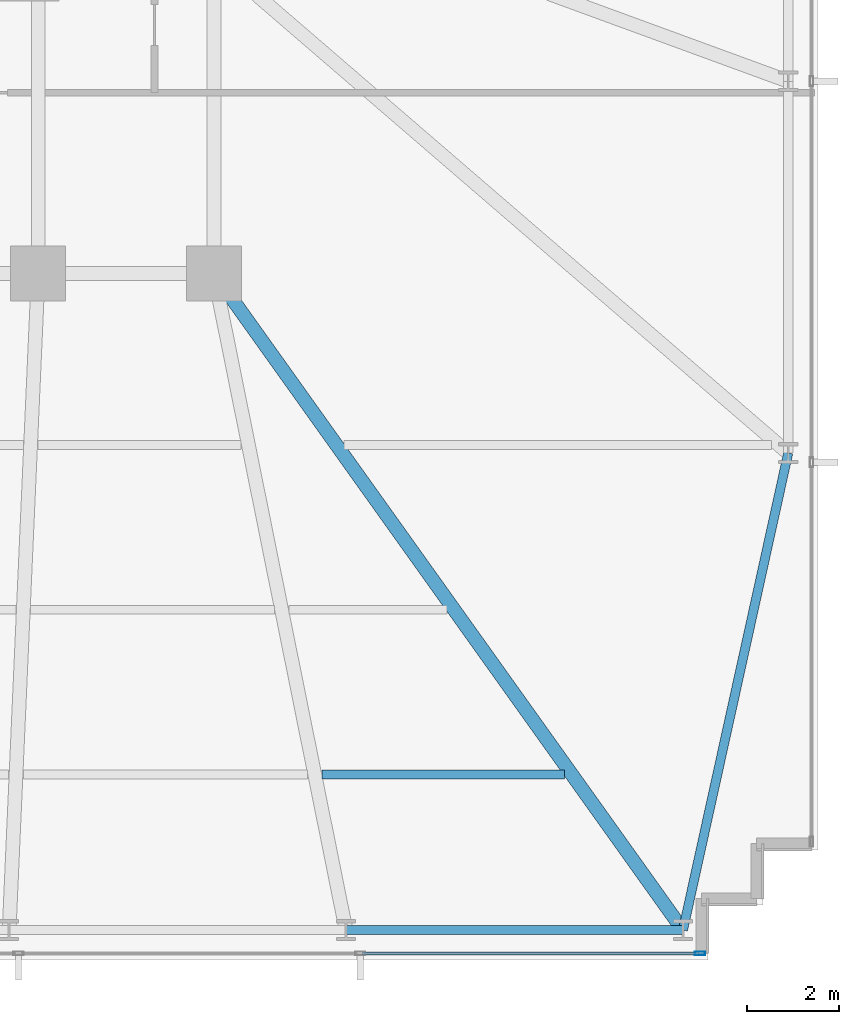
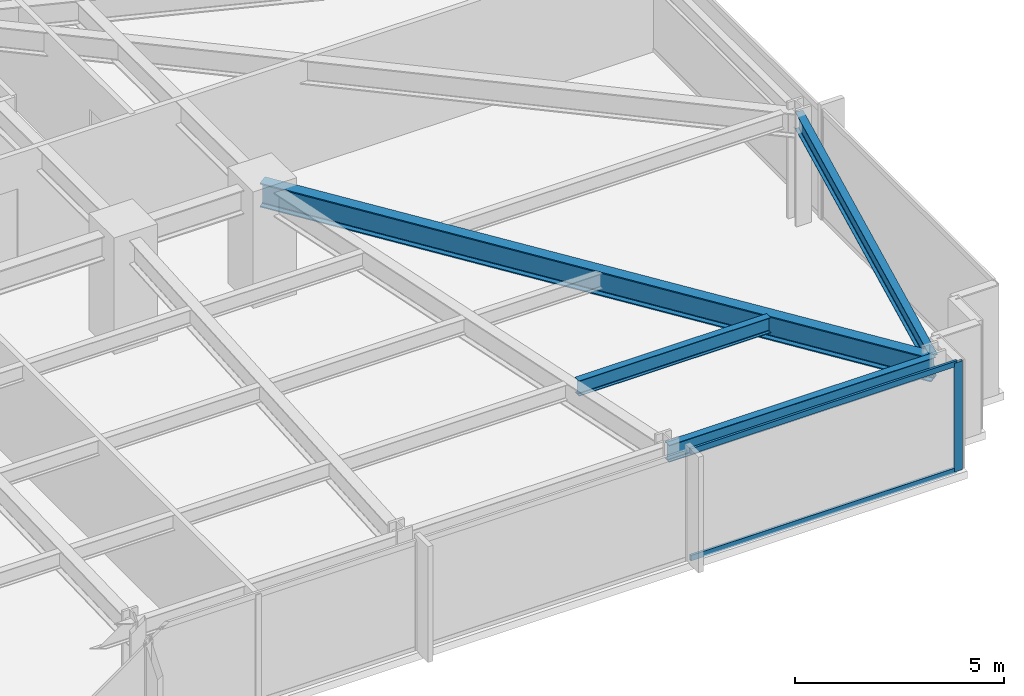
# One storey, part 15 of 33: 4 beams, 3 members, 1 element without a shape of its own.
"""IFC4 building model written with IfcOpenShell, lengths in metres."""

from ifc_helpers import new_model, si_unit, direction, frame, origin, origin_2d, place, context, subcontext, project, spatial, hollow_rectangle, i_section, extrude, material, material_profile, profile_set, type_object, element, aggregate, save


model = new_model("IFC4")

# Units and contexts
model_context = context("Model", 3, precision=1e-05, world=origin(), true_north=direction((0.0, 1.0)))
body_context = subcontext(model_context, "Body", "Model", "MODEL_VIEW")
ifc_project = project(units=[si_unit("LENGTHUNIT", "METRE"), si_unit("AREAUNIT", "SQUARE_METRE"), si_unit("VOLUMEUNIT", "CUBIC_METRE"), si_unit("PLANEANGLEUNIT", "RADIAN"), si_unit("MASSUNIT", "GRAM", prefix="KILO")], contexts=[model_context])

# Site, building, storey
site_placement = place(None, origin())
site = spatial("IfcSite", under=ifc_project, at=site_placement, CompositionType="ELEMENT")
building_placement = place(site_placement, origin())
building = spatial("IfcBuilding", under=site, at=building_placement, Name="Yelkora Congress Tower", CompositionType="ELEMENT")
storey_placement = place(building_placement, frame((0.0, 0.0, 64.39990234375)))
storey = spatial("IfcBuildingStorey", under=building, at=storey_placement, Name="L16", CompositionType="ELEMENT", Elevation=64.39990234375)

# Beams
ifc_material_1 = material(Name="Steel S355J2", Category="steel")
ifc_material_profile_1 = material_profile(ifc_material_1, i_section(OverallWidth=0.300048828125, OverallDepth=0.699951171875, WebThickness=0.01708984375, FlangeThickness=0.031982421875, FilletRadius=0.027099609375, at=origin_2d()), Name="HEB 700")
ifc_profile_set_1 = profile_set([ifc_material_profile_1], Name="Steel S355J2")
beam_type_1 = type_object("IfcBeamType", Name="BM-GIRD-HEB700", PredefinedType="BEAM", material=ifc_profile_set_1)
beam_1_placement = place(storey_placement, frame((67.85009765625, 10.85009765625, 2.830078125), z_axis=(-0.581242122521, 0.813730664906, 0.0), x_axis=(-0.813730664906, -0.581242122521, 0.0)))
element("IfcBeam", 1, at=beam_1_placement, inside=storey, type_object=beam_type_1, Name="L16 Primary Frame Girder S09", PredefinedType="BEAM", context=body_context, shape_type="SweptSolid", body=[
    extrude(i_section(OverallWidth=0.300048828125, OverallDepth=0.699951171875, WebThickness=0.01708984375, FlangeThickness=0.031982421875, FilletRadius=0.027099609375, at=origin_2d()), origin(), (0.0, 0.0, 1.0), 17.634765625),
])
ifc_material_profile_2 = material_profile(ifc_material_1, i_section(OverallWidth=0.18994140625, OverallDepth=0.449951171875, WebThickness=0.009521484375, FlangeThickness=0.0146484375, FilletRadius=0.02099609375, at=origin_2d()), Name="IPE 450")
ifc_profile_set_2 = profile_set([ifc_material_profile_2], Name="Steel S355J2")
beam_type_2 = type_object("IfcBeamType", Name="BM-JOIST-IPE450", PredefinedType="JOIST", material=ifc_profile_set_2)
beam_2_placement = place(storey_placement, frame((59.96337890625, 14.25, 2.955078125), z_axis=(1.0, 0.0, 0.0), x_axis=(0.0, 1.0, 0.0)))
element("IfcBeam", 2, at=beam_2_placement, inside=storey, type_object=beam_type_2, Name="L16 Composite Floor Joist 8", PredefinedType="JOIST", context=body_context, shape_type="SweptSolid", body=[
    extrude(i_section(OverallWidth=0.18994140625, OverallDepth=0.449951171875, WebThickness=0.009521484375, FlangeThickness=0.0146484375, FilletRadius=0.02099609375, at=origin_2d()), origin(), (0.0, 0.0, 1.0), 5.298095703125),
])
ifc_material_profile_3 = material_profile(ifc_material_1, i_section(OverallWidth=0.199951171875, OverallDepth=0.5, WebThickness=0.01025390625, FlangeThickness=0.01611328125, FilletRadius=0.02099609375, at=origin_2d()), Name="IPE 500")
ifc_profile_set_3 = profile_set([ifc_material_profile_3], Name="Steel S355J2")
beam_type_3 = type_object("IfcBeamType", Name="BM-SPAN-IPE500", PredefinedType="SPANDREL", material=ifc_profile_set_3)
beam_3_placement = place(storey_placement, frame((60.487548828125, 10.85009765625, 2.93017578125), z_axis=(1.0, 0.0, 0.0), x_axis=(0.0, 1.0, 0.0)))
element("IfcBeam", 3, at=beam_3_placement, inside=storey, type_object=beam_type_3, Name="L16 Perimeter Beam 9", PredefinedType="SPANDREL", context=body_context, shape_type="SweptSolid", body=[
    extrude(i_section(OverallWidth=0.199951171875, OverallDepth=0.5, WebThickness=0.01025390625, FlangeThickness=0.01611328125, FilletRadius=0.02099609375, at=origin_2d()), origin(), (0.0, 0.0, 1.0), 7.362548828125),
])
beam_4_placement = place(storey_placement, frame((67.85009765625, 10.85009765625, 2.93017578125), z_axis=(0.215428898349, 0.97651952861, 0.0), x_axis=(-0.97651952861, 0.215428898349, 0.0)))
element("IfcBeam", 4, at=beam_4_placement, inside=storey, type_object=beam_type_3, Name="L16 Perimeter Beam 10", PredefinedType="SPANDREL", context=body_context, shape_type="SweptSolid", body=[
    extrude(i_section(OverallWidth=0.199951171875, OverallDepth=0.5, WebThickness=0.01025390625, FlangeThickness=0.01611328125, FilletRadius=0.02099609375, at=origin_2d()), origin(), (0.0, 0.0, 1.0), 10.675537109375),
])

# Curtain wall, members
ifc_material_2 = material(Name="Anodised aluminium and insulated glass", Category="aluminium")
curtain_wall_type = type_object("IfcCurtainWallType", Name="CW-SYS-B1", PredefinedType="NOTDEFINED", material=ifc_material_2)
curtain_wall_placement = place(storey_placement, origin())
curtain_wall = element("IfcCurtainWall", 5, at=curtain_wall_placement, inside=storey, type_object=curtain_wall_type, Name="L16 Unitised Curtain Wall 20", PredefinedType="NOTDEFINED")
ifc_material_3 = material(Name="Anodised aluminium 6063-T6", Category="aluminium")
ifc_material_profile_4 = material_profile(ifc_material_3, hollow_rectangle(XDim=0.074951171875, YDim=0.219970703125, WallThickness=0.0048828125, at=origin_2d()), Name="ALU 75x220x5")
ifc_profile_set_4 = profile_set([ifc_material_profile_4], Name="Anodised aluminium 6063-T6")
member_type_1 = type_object("IfcMemberType", Name="MEM-ML-B1", PredefinedType="MULLION", material=ifc_profile_set_4)
member_1_placement = place(storey_placement, frame((68.222412109375, 10.340087890625, 0.0), z_axis=(0.0, 0.0, 1.0), x_axis=(0.0, -1.0, 0.0)))
member_1 = element("IfcMember", 6, at=member_1_placement, type_object=member_type_1, Name="CW-B1 mullion 1", PredefinedType="MULLION", context=body_context, shape_type="SweptSolid", body=[
    extrude(hollow_rectangle(XDim=0.074951171875, YDim=0.219970703125, WallThickness=0.0048828125, at=origin_2d()), origin(), (0.0, 0.0, 1.0), 3.18017578125),
])
ifc_material_profile_5 = material_profile(ifc_material_3, hollow_rectangle(XDim=0.06494140625, YDim=0.159912109375, WallThickness=0.00390625, at=origin_2d()), Name="ALU 65x160x4")
ifc_profile_set_5 = profile_set([ifc_material_profile_5], Name="Anodised aluminium 6063-T6")
member_type_2 = type_object("IfcMemberType", Name="MEM-TR-B1", PredefinedType="USERDEFINED", material=ifc_profile_set_5)
member_2_placement = place(storey_placement, frame((68.18505859375, 10.340087890625, 0.03271484375), z_axis=(-1.0, 0.0, 0.0), x_axis=(0.0, -1.0, 0.0)))
member_2 = element("IfcMember", 7, at=member_2_placement, type_object=member_type_2, Name="CW-B1 transom 1.1", ObjectType="TRANSOM", PredefinedType="USERDEFINED", context=body_context, shape_type="SweptSolid", body=[
    extrude(hollow_rectangle(XDim=0.06494140625, YDim=0.159912109375, WallThickness=0.00390625, at=origin_2d()), origin(), (0.0, 0.0, 1.0), 7.3525390625),
])
member_3_placement = place(storey_placement, frame((68.18505859375, 10.340087890625, 3.147705078125), z_axis=(-1.0, 0.0, 0.0), x_axis=(0.0, -1.0, 0.0)))
member_3 = element("IfcMember", 8, at=member_3_placement, type_object=member_type_2, Name="CW-B1 transom 1.2", ObjectType="TRANSOM", PredefinedType="USERDEFINED", context=body_context, shape_type="SweptSolid", body=[
    extrude(hollow_rectangle(XDim=0.06494140625, YDim=0.159912109375, WallThickness=0.00390625, at=origin_2d()), origin(), (0.0, 0.0, 1.0), 7.3525390625),
])
aggregate(curtain_wall, [member_1, member_2, member_3])

save(model, "model.ifc")
